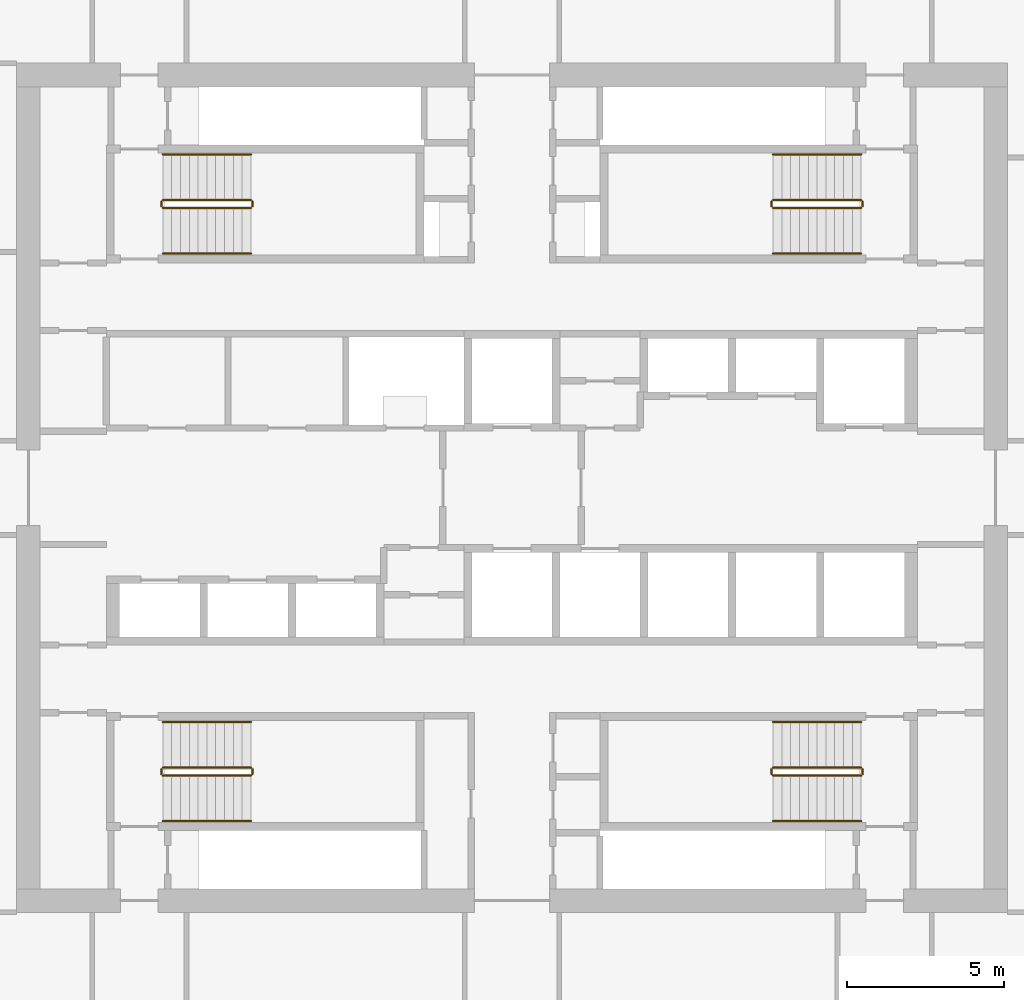
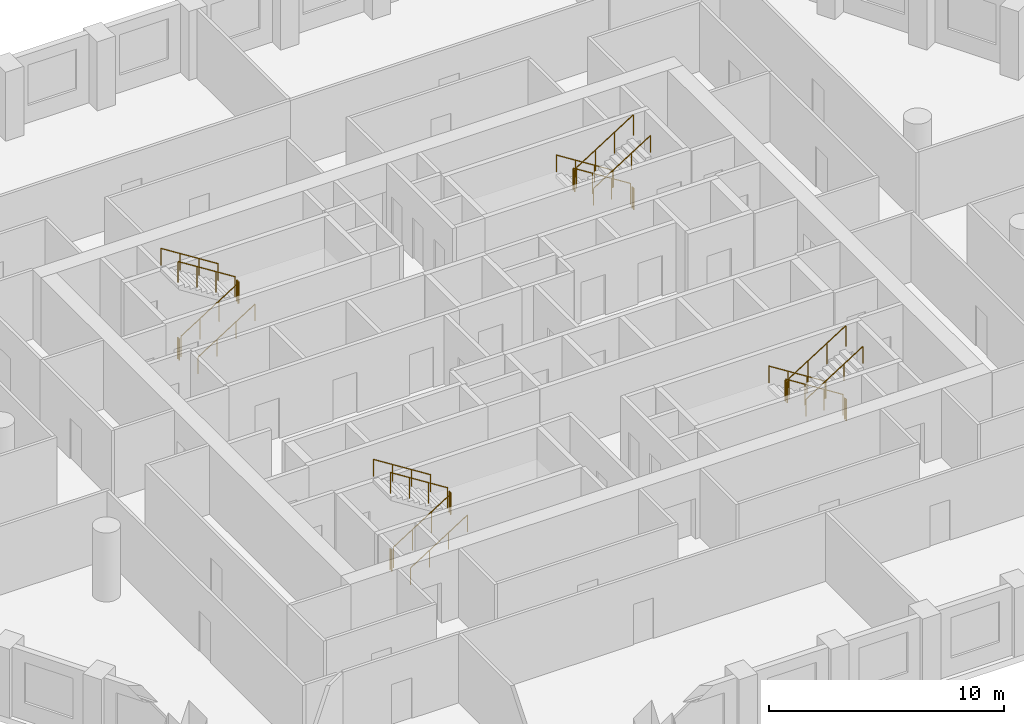
# One storey, part 10 of 10: 24 railings.
"""IFC4 building model written with IfcOpenShell, lengths in metres."""

import ifcopenshell
import ifcopenshell.guid

model = None  # the IFC model being written
_history = None  # IfcOwnerHistory: only IFC2X3 demands one
_inside = {}  # id of a spatial element -> (the spatial element, [elements in it])
_under = {}  # id of a project, library or spatial element -> (it, [spatial elements below it])
_declared = {}  # id of a project -> (the project, [libraries it declares])
_typed = {}  # id of a type object -> (the type object, [elements of that type])
_made_of = {}  # id of a material, layer set ... -> (it, [elements and type objects made of it])


def new_model(schema):
    """Start an empty IFC model of exactly this schema.

    Asked for "IFC4X3", IfcOpenShell would pick the latest addendum, in which some entities
    have other attributes; the version numbers below select the first issue.
    IFC2X3 requires an IfcOwnerHistory on every rooted entity: one is made here for all.
    """
    global model, _history
    if schema == "IFC4X3":
        model = ifcopenshell.file(schema_version=(4, 3, 0, 0))
    else:
        model = ifcopenshell.file(schema=schema)
    _inside.clear()
    _under.clear()
    _declared.clear()
    _typed.clear()
    _made_of.clear()
    _history = None
    if model.schema == "IFC2X3":
        org = make("IfcOrganization", Name="unknown")
        user = make(
            "IfcPersonAndOrganization",
            ThePerson=make("IfcPerson", FamilyName="unknown"),
            TheOrganization=org,
        )
        app = make(
            "IfcApplication",
            ApplicationDeveloper=org,
            Version="unknown",
            ApplicationFullName="unknown",
            ApplicationIdentifier="unknown",
        )
        _history = make(
            "IfcOwnerHistory",
            OwningUser=user,
            OwningApplication=app,
            ChangeAction="ADDED",
            CreationDate=0,
        )
    return model


def make(cls, **values):
    """One entity of the class cls with the attributes given. An attribute that is None is left unset."""
    return model.create_entity(
        cls, **{name: value for name, value in values.items() if value is not None}
    )


def rooted(cls, **values):
    """An entity with a GlobalId (a new one), such as an element, a storey or a relation."""
    return make(cls, GlobalId=ifcopenshell.guid.new(), OwnerHistory=_history, **values)


def si_unit(unit_type, name, prefix=None):
    """IfcSIUnit, for example si_unit("LENGTHUNIT", "METRE", prefix="MILLI")."""
    return make("IfcSIUnit", UnitType=unit_type, Prefix=prefix, Name=name)


def assignment(units):
    """IfcUnitAssignment: the units of a project."""
    return None if units is None else make("IfcUnitAssignment", Units=units)


def point(xyz):
    """IfcCartesianPoint."""
    return None if xyz is None else make("IfcCartesianPoint", Coordinates=xyz)


def direction(xyz):
    """IfcDirection."""
    return None if xyz is None else make("IfcDirection", DirectionRatios=xyz)


def frame(location, z_axis=None, x_axis=None):
    """IfcAxis2Placement3D, a coordinate frame: its origin and axes. An axis left out is left unset."""
    return make(
        "IfcAxis2Placement3D",
        Location=point(location),
        Axis=direction(z_axis),
        RefDirection=direction(x_axis),
    )


def frame_2d(location, x_axis=None):
    """IfcAxis2Placement2D, a coordinate frame in the plane: its origin and x axis."""
    return make(
        "IfcAxis2Placement2D", Location=point(location), RefDirection=direction(x_axis)
    )


def origin():
    """The frame at (0, 0, 0) with its axes left unset."""
    return frame((0.0, 0.0, 0.0))


def origin_2d():
    """The frame at (0, 0) in the plane with its x axis left unset."""
    return frame_2d((0.0, 0.0))


def place(relative_to, where):
    """IfcLocalPlacement: puts the frame where relative to a parent placement (None: the world)."""
    return make(
        "IfcLocalPlacement", PlacementRelTo=relative_to, RelativePlacement=where
    )


def context(
    kind, dimensions, precision=None, world=None, true_north=None, identifier=None
):
    """IfcGeometricRepresentationContext, for example the 3D "Model" context."""
    return make(
        "IfcGeometricRepresentationContext",
        ContextIdentifier=identifier,
        ContextType=kind,
        CoordinateSpaceDimension=dimensions,
        Precision=precision,
        WorldCoordinateSystem=world,
        TrueNorth=true_north,
    )


def subcontext(parent, identifier, kind, view, scale=None):
    """IfcGeometricRepresentationSubContext, for example "Body" below "Model"."""
    return make(
        "IfcGeometricRepresentationSubContext",
        ContextIdentifier=identifier,
        ContextType=kind,
        ParentContext=parent,
        TargetScale=scale,
        TargetView=view,
    )


def project(units=None, contexts=None):
    """IfcProject with its units and contexts."""
    return rooted(
        "IfcProject",
        Name="project",
        RepresentationContexts=contexts,
        UnitsInContext=assignment(units),
    )


def spatial(cls, under=None, at=None, **own):
    """A site, building, storey or space (cls), placed at a placement, below another one or the project."""
    s = rooted(cls, ObjectPlacement=at, **own)
    if under is not None:
        _under.setdefault(under.id(), (under, []))[1].append(s)
    return s


def profile(cls, at=None, kind="AREA", **sizes):
    """A parametric profile (cls). Its sizes go by their IFC names, for example OverallWidth=200.0."""
    return make(cls, ProfileType=kind, Position=at, **sizes)


def circle(**sizes):
    """IfcCircleProfileDef."""
    return profile("IfcCircleProfileDef", **sizes)


def extrude(swept, where, along, depth):
    """IfcExtrudedAreaSolid: the profile swept, set in the frame where, extruded along a direction by depth."""
    return make(
        "IfcExtrudedAreaSolid",
        SweptArea=swept,
        Position=where,
        ExtrudedDirection=direction(along),
        Depth=depth,
    )


def shape(context_of_items, identifier, shape_type, items):
    """IfcShapeRepresentation: the items that make up one representation, for example the "Body"."""
    return make(
        "IfcShapeRepresentation",
        ContextOfItems=context_of_items,
        RepresentationIdentifier=identifier,
        RepresentationType=shape_type,
        Items=items,
    )


def material(Name=None, Category=None):
    """IfcMaterial."""
    return make("IfcMaterial", Name=Name, Category=Category)


def made_of(thing, what):
    """Note that an element or type object is made of a material, layer set ...; save() writes the relation."""
    if what is not None:
        _made_of.setdefault(what.id(), (what, []))[1].append(thing)
    return thing


def type_object(cls, material=None, **own):
    """A type object (cls), such as IfcWallType, which elements share."""
    return made_of(rooted(cls, **own), material)


def element(
    cls,
    number,
    at=None,
    inside=None,
    cuts=None,
    type_object=None,
    material=None,
    context=None,
    identifier="Body",
    shape_type=None,
    held_by="IfcProductDefinitionShape",
    body=None,
    shapes=None,
    **own,
):
    """One element of the class cls, such as IfcWall. Its Tag is "e" and its number.

    at: its placement. inside: the storey or other place that contains it. cuts: it is an
    opening in that element (IfcRelVoidsElement). A single representation is given by context,
    identifier, shape_type and body (its items); several are given by shapes. held_by: the class
    of the entity that holds the representations. save() writes the other relations.
    """
    e = rooted(cls, Tag="e%d" % number, ObjectPlacement=at, **own)
    if body is not None:
        shapes = [shape(context, identifier, shape_type, body)]
    if shapes is not None:
        e.Representation = make(held_by, Representations=shapes)
    if inside is not None:
        _inside.setdefault(inside.id(), (inside, []))[1].append(e)
    if cuts is not None:
        rooted(
            "IfcRelVoidsElement", RelatingBuildingElement=cuts, RelatedOpeningElement=e
        )
    if type_object is not None:
        _typed.setdefault(type_object.id(), (type_object, []))[1].append(e)
    return made_of(e, material)


def aggregate(whole, parts):
    """IfcRelAggregates: a whole, such as a stair, and the parts it consists of."""
    return rooted("IfcRelAggregates", RelatingObject=whole, RelatedObjects=parts)


def save(model, path):
    """Write the relations noted so far, then the file.

    IfcRelAggregates (storeys below a building ...), IfcRelContainedInSpatialStructure (elements
    in a storey), IfcRelDefinesByType, IfcRelAssociatesMaterial and IfcRelDeclares: one each for
    every whole, place, type object, material and project.
    """
    for whole, parts in _under.values():
        aggregate(whole, parts)
    for where, things in _inside.values():
        rooted(
            "IfcRelContainedInSpatialStructure",
            RelatedElements=things,
            RelatingStructure=where,
        )
    for kind, things in _typed.values():
        rooted("IfcRelDefinesByType", RelatedObjects=things, RelatingType=kind)
    for what, things in _made_of.values():
        rooted("IfcRelAssociatesMaterial", RelatedObjects=things, RelatingMaterial=what)
    for by, libraries in _declared.values():
        rooted("IfcRelDeclares", RelatingContext=by, RelatedDefinitions=libraries)
    model.write(path)


model = new_model("IFC4")

# Units and contexts
model_context = context("Model", 3, precision=1e-05, world=origin(), true_north=direction((0.0, 1.0)))
body_context = subcontext(model_context, "Body", "Model", "MODEL_VIEW")
ifc_project = project(units=[si_unit("LENGTHUNIT", "METRE"), si_unit("AREAUNIT", "SQUARE_METRE"), si_unit("VOLUMEUNIT", "CUBIC_METRE"), si_unit("PLANEANGLEUNIT", "RADIAN"), si_unit("MASSUNIT", "GRAM", prefix="KILO")], contexts=[model_context])

# Site, building, storey
site_placement = place(None, origin())
site = spatial("IfcSite", under=ifc_project, at=site_placement, CompositionType="ELEMENT")
building_placement = place(site_placement, origin())
building = spatial("IfcBuilding", under=site, at=building_placement, Name="Dhurran Vertical Campus", CompositionType="ELEMENT")
storey_placement = place(building_placement, frame((0.0, 0.0, 152.10009765625)))
storey = spatial("IfcBuildingStorey", under=building, at=storey_placement, Name="L37", CompositionType="ELEMENT", Elevation=152.10009765625)

# Railings
ifc_material_1 = material(Name="Stainless steel balustrade", Category="steel")
railing_type_1 = type_object("IfcRailingType", Name="co-RL-GUARD-1100", PredefinedType="GUARDRAIL", material=ifc_material_1)
railing_1_placement = place(storey_placement, frame((-11.10009765625, 8.89990234375, 0.17724609375)))
element("IfcRailing", 1, at=railing_1_placement, inside=storey, type_object=railing_type_1, Name="L37 ST1 stair guard 1", PredefinedType="GUARDRAIL", context=body_context, shape_type="SweptSolid", body=[
    extrude(circle(Radius=0.02392578125, at=origin_2d()), frame((0.0, 0.0, 1.076171875), z_axis=(0.844908973607, 0.0, 0.534910110503), x_axis=(0.0, 1.0, 0.0)), (0.0, 0.0, 1.0), 3.31396484375),
    extrude(circle(Radius=0.02099609375, at=origin_2d()), origin(), (0.0, 0.0, 1.0), 1.052001953125),
    extrude(circle(Radius=0.02099609375, at=origin_2d()), frame((0.933349609375, 0.0, 0.5908203125)), (0.0, 0.0, 1.0), 1.052001953125),
    extrude(circle(Radius=0.02099609375, at=origin_2d()), frame((1.86669921875, 0.0, 1.181884765625)), (0.0, 0.0, 1.0), 1.052001953125),
    extrude(circle(Radius=0.02099609375, at=origin_2d()), frame((2.800048828125, 0.0, 1.772705078125)), (0.0, 0.0, 1.0), 1.052001953125),
])
railing_2_placement = place(storey_placement, frame((-8.25, 8.949951171875, 1.949951171875)))
element("IfcRailing", 2, at=railing_2_placement, inside=storey, type_object=railing_type_1, Name="L37 ST1 stair guard 2", PredefinedType="GUARDRAIL", context=body_context, shape_type="SweptSolid", body=[
    extrude(circle(Radius=0.02392578125, at=origin_2d()), frame((0.0, 0.0, 1.076171875), z_axis=(0.0, 1.0, 0.0), x_axis=(-1.0, 0.0, 0.0)), (0.0, 0.0, 1.0), 0.150146484375),
    extrude(circle(Radius=0.02099609375, at=origin_2d()), origin(), (0.0, 0.0, 1.0), 1.052001953125),
    extrude(circle(Radius=0.02099609375, at=origin_2d()), frame((0.0, 0.150146484375, 0.0)), (0.0, 0.0, 1.0), 1.052001953125),
])
railing_3_placement = place(storey_placement, frame((-8.300048828125, 9.14990234375, 2.127197265625)))
element("IfcRailing", 3, at=railing_3_placement, inside=storey, type_object=railing_type_1, Name="L37 ST1 stair guard 3", PredefinedType="GUARDRAIL", context=body_context, shape_type="SweptSolid", body=[
    extrude(circle(Radius=0.02392578125, at=origin_2d()), frame((0.0, 0.0, 1.076171875), z_axis=(-0.844908973607, 0.0, 0.534910110503), x_axis=(0.0, -1.0, 0.0)), (0.0, 0.0, 1.0), 3.31396484375),
    extrude(circle(Radius=0.02099609375, at=origin_2d()), origin(), (0.0, 0.0, 1.0), 1.052001953125),
    extrude(circle(Radius=0.02099609375, at=origin_2d()), frame((-0.933349609375, 0.0, 0.5908203125)), (0.0, 0.0, 1.0), 1.052001953125),
    extrude(circle(Radius=0.02099609375, at=origin_2d()), frame((-1.86669921875, 0.0, 1.181884765625)), (0.0, 0.0, 1.0), 1.052001953125),
    extrude(circle(Radius=0.02099609375, at=origin_2d()), frame((-2.800048828125, 0.0, 1.772705078125)), (0.0, 0.0, 1.0), 1.052001953125),
])
railing_4_placement = place(storey_placement, frame((-11.14990234375, 8.949951171875, 0.0)))
element("IfcRailing", 4, at=railing_4_placement, inside=storey, type_object=railing_type_1, Name="L37 ST1 stair guard 4", PredefinedType="GUARDRAIL", context=body_context, shape_type="SweptSolid", body=[
    extrude(circle(Radius=0.02392578125, at=origin_2d()), frame((0.0, 0.0, 1.076171875), z_axis=(0.0, 1.0, 0.0), x_axis=(-1.0, 0.0, 0.0)), (0.0, 0.0, 1.0), 0.150146484375),
    extrude(circle(Radius=0.02099609375, at=origin_2d()), origin(), (0.0, 0.0, 1.0), 1.052001953125),
    extrude(circle(Radius=0.02099609375, at=origin_2d()), frame((0.0, 0.150146484375, 0.0)), (0.0, 0.0, 1.0), 1.052001953125),
])
railing_5_placement = place(storey_placement, frame((11.10009765625, 9.14990234375, 0.17724609375)))
element("IfcRailing", 5, at=railing_5_placement, inside=storey, type_object=railing_type_1, Name="L37 ST2 stair guard 1", PredefinedType="GUARDRAIL", context=body_context, shape_type="SweptSolid", body=[
    extrude(circle(Radius=0.02392578125, at=origin_2d()), frame((0.0, 0.0, 1.076171875), z_axis=(-0.844908973607, 0.0, 0.534910110503), x_axis=(0.0, -1.0, 0.0)), (0.0, 0.0, 1.0), 3.31396484375),
    extrude(circle(Radius=0.02099609375, at=origin_2d()), origin(), (0.0, 0.0, 1.0), 1.052001953125),
    extrude(circle(Radius=0.02099609375, at=origin_2d()), frame((-0.933349609375, 0.0, 0.5908203125)), (0.0, 0.0, 1.0), 1.052001953125),
    extrude(circle(Radius=0.02099609375, at=origin_2d()), frame((-1.86669921875, 0.0, 1.181884765625)), (0.0, 0.0, 1.0), 1.052001953125),
    extrude(circle(Radius=0.02099609375, at=origin_2d()), frame((-2.800048828125, 0.0, 1.772705078125)), (0.0, 0.0, 1.0), 1.052001953125),
])
railing_6_placement = place(storey_placement, frame((8.25, 9.10009765625, 1.949951171875)))
element("IfcRailing", 6, at=railing_6_placement, inside=storey, type_object=railing_type_1, Name="L37 ST2 stair guard 2", PredefinedType="GUARDRAIL", context=body_context, shape_type="SweptSolid", body=[
    extrude(circle(Radius=0.02392578125, at=origin_2d()), frame((0.0, 0.0, 1.076171875), z_axis=(0.0, -1.0, 0.0), x_axis=(1.0, 0.0, 0.0)), (0.0, 0.0, 1.0), 0.150146484375),
    extrude(circle(Radius=0.02099609375, at=origin_2d()), origin(), (0.0, 0.0, 1.0), 1.052001953125),
    extrude(circle(Radius=0.02099609375, at=origin_2d()), frame((0.0, -0.150146484375, 0.0)), (0.0, 0.0, 1.0), 1.052001953125),
])
railing_7_placement = place(storey_placement, frame((8.300048828125, 8.89990234375, 2.127197265625)))
element("IfcRailing", 7, at=railing_7_placement, inside=storey, type_object=railing_type_1, Name="L37 ST2 stair guard 3", PredefinedType="GUARDRAIL", context=body_context, shape_type="SweptSolid", body=[
    extrude(circle(Radius=0.02392578125, at=origin_2d()), frame((0.0, 0.0, 1.076171875), z_axis=(0.844908973607, 0.0, 0.534910110503), x_axis=(0.0, 1.0, 0.0)), (0.0, 0.0, 1.0), 3.31396484375),
    extrude(circle(Radius=0.02099609375, at=origin_2d()), origin(), (0.0, 0.0, 1.0), 1.052001953125),
    extrude(circle(Radius=0.02099609375, at=origin_2d()), frame((0.933349609375, 0.0, 0.5908203125)), (0.0, 0.0, 1.0), 1.052001953125),
    extrude(circle(Radius=0.02099609375, at=origin_2d()), frame((1.86669921875, 0.0, 1.181884765625)), (0.0, 0.0, 1.0), 1.052001953125),
    extrude(circle(Radius=0.02099609375, at=origin_2d()), frame((2.800048828125, 0.0, 1.772705078125)), (0.0, 0.0, 1.0), 1.052001953125),
])
railing_8_placement = place(storey_placement, frame((11.14990234375, 9.10009765625, 0.0)))
element("IfcRailing", 8, at=railing_8_placement, inside=storey, type_object=railing_type_1, Name="L37 ST2 stair guard 4", PredefinedType="GUARDRAIL", context=body_context, shape_type="SweptSolid", body=[
    extrude(circle(Radius=0.02392578125, at=origin_2d()), frame((0.0, 0.0, 1.076171875), z_axis=(0.0, -1.0, 0.0), x_axis=(1.0, 0.0, 0.0)), (0.0, 0.0, 1.0), 0.150146484375),
    extrude(circle(Radius=0.02099609375, at=origin_2d()), origin(), (0.0, 0.0, 1.0), 1.052001953125),
    extrude(circle(Radius=0.02099609375, at=origin_2d()), frame((0.0, -0.150146484375, 0.0)), (0.0, 0.0, 1.0), 1.052001953125),
])
railing_9_placement = place(storey_placement, frame((-11.10009765625, -9.14990234375, 0.17724609375)))
element("IfcRailing", 9, at=railing_9_placement, inside=storey, type_object=railing_type_1, Name="L37 ST3 stair guard 1", PredefinedType="GUARDRAIL", context=body_context, shape_type="SweptSolid", body=[
    extrude(circle(Radius=0.02392578125, at=origin_2d()), frame((0.0, 0.0, 1.076171875), z_axis=(0.844908973607, 0.0, 0.534910110503), x_axis=(0.0, 1.0, 0.0)), (0.0, 0.0, 1.0), 3.31396484375),
    extrude(circle(Radius=0.02099609375, at=origin_2d()), origin(), (0.0, 0.0, 1.0), 1.052001953125),
    extrude(circle(Radius=0.02099609375, at=origin_2d()), frame((0.933349609375, 0.0, 0.5908203125)), (0.0, 0.0, 1.0), 1.052001953125),
    extrude(circle(Radius=0.02099609375, at=origin_2d()), frame((1.86669921875, 0.0, 1.181884765625)), (0.0, 0.0, 1.0), 1.052001953125),
    extrude(circle(Radius=0.02099609375, at=origin_2d()), frame((2.800048828125, 0.0, 1.772705078125)), (0.0, 0.0, 1.0), 1.052001953125),
])
railing_10_placement = place(storey_placement, frame((-8.25, -9.10009765625, 1.949951171875)))
element("IfcRailing", 10, at=railing_10_placement, inside=storey, type_object=railing_type_1, Name="L37 ST3 stair guard 2", PredefinedType="GUARDRAIL", context=body_context, shape_type="SweptSolid", body=[
    extrude(circle(Radius=0.02392578125, at=origin_2d()), frame((0.0, 0.0, 1.076171875), z_axis=(0.0, 1.0, 0.0), x_axis=(-1.0, 0.0, 0.0)), (0.0, 0.0, 1.0), 0.150146484375),
    extrude(circle(Radius=0.02099609375, at=origin_2d()), origin(), (0.0, 0.0, 1.0), 1.052001953125),
    extrude(circle(Radius=0.02099609375, at=origin_2d()), frame((0.0, 0.150146484375, 0.0)), (0.0, 0.0, 1.0), 1.052001953125),
])
railing_11_placement = place(storey_placement, frame((-8.300048828125, -8.89990234375, 2.127197265625)))
element("IfcRailing", 11, at=railing_11_placement, inside=storey, type_object=railing_type_1, Name="L37 ST3 stair guard 3", PredefinedType="GUARDRAIL", context=body_context, shape_type="SweptSolid", body=[
    extrude(circle(Radius=0.02392578125, at=origin_2d()), frame((0.0, 0.0, 1.076171875), z_axis=(-0.844908973607, 0.0, 0.534910110503), x_axis=(0.0, -1.0, 0.0)), (0.0, 0.0, 1.0), 3.31396484375),
    extrude(circle(Radius=0.02099609375, at=origin_2d()), origin(), (0.0, 0.0, 1.0), 1.052001953125),
    extrude(circle(Radius=0.02099609375, at=origin_2d()), frame((-0.933349609375, 0.0, 0.5908203125)), (0.0, 0.0, 1.0), 1.052001953125),
    extrude(circle(Radius=0.02099609375, at=origin_2d()), frame((-1.86669921875, 0.0, 1.181884765625)), (0.0, 0.0, 1.0), 1.052001953125),
    extrude(circle(Radius=0.02099609375, at=origin_2d()), frame((-2.800048828125, 0.0, 1.772705078125)), (0.0, 0.0, 1.0), 1.052001953125),
])
railing_12_placement = place(storey_placement, frame((-11.14990234375, -9.10009765625, 0.0)))
element("IfcRailing", 12, at=railing_12_placement, inside=storey, type_object=railing_type_1, Name="L37 ST3 stair guard 4", PredefinedType="GUARDRAIL", context=body_context, shape_type="SweptSolid", body=[
    extrude(circle(Radius=0.02392578125, at=origin_2d()), frame((0.0, 0.0, 1.076171875), z_axis=(0.0, 1.0, 0.0), x_axis=(-1.0, 0.0, 0.0)), (0.0, 0.0, 1.0), 0.150146484375),
    extrude(circle(Radius=0.02099609375, at=origin_2d()), origin(), (0.0, 0.0, 1.0), 1.052001953125),
    extrude(circle(Radius=0.02099609375, at=origin_2d()), frame((0.0, 0.150146484375, 0.0)), (0.0, 0.0, 1.0), 1.052001953125),
])
railing_13_placement = place(storey_placement, frame((11.10009765625, -8.89990234375, 0.17724609375)))
element("IfcRailing", 13, at=railing_13_placement, inside=storey, type_object=railing_type_1, Name="L37 ST4 stair guard 1", PredefinedType="GUARDRAIL", context=body_context, shape_type="SweptSolid", body=[
    extrude(circle(Radius=0.02392578125, at=origin_2d()), frame((0.0, 0.0, 1.076171875), z_axis=(-0.844908973607, 0.0, 0.534910110503), x_axis=(0.0, -1.0, 0.0)), (0.0, 0.0, 1.0), 3.31396484375),
    extrude(circle(Radius=0.02099609375, at=origin_2d()), origin(), (0.0, 0.0, 1.0), 1.052001953125),
    extrude(circle(Radius=0.02099609375, at=origin_2d()), frame((-0.933349609375, 0.0, 0.5908203125)), (0.0, 0.0, 1.0), 1.052001953125),
    extrude(circle(Radius=0.02099609375, at=origin_2d()), frame((-1.86669921875, 0.0, 1.181884765625)), (0.0, 0.0, 1.0), 1.052001953125),
    extrude(circle(Radius=0.02099609375, at=origin_2d()), frame((-2.800048828125, 0.0, 1.772705078125)), (0.0, 0.0, 1.0), 1.052001953125),
])
railing_14_placement = place(storey_placement, frame((8.25, -8.949951171875, 1.949951171875)))
element("IfcRailing", 14, at=railing_14_placement, inside=storey, type_object=railing_type_1, Name="L37 ST4 stair guard 2", PredefinedType="GUARDRAIL", context=body_context, shape_type="SweptSolid", body=[
    extrude(circle(Radius=0.02392578125, at=origin_2d()), frame((0.0, 0.0, 1.076171875), z_axis=(0.0, -1.0, 0.0), x_axis=(1.0, 0.0, 0.0)), (0.0, 0.0, 1.0), 0.150146484375),
    extrude(circle(Radius=0.02099609375, at=origin_2d()), origin(), (0.0, 0.0, 1.0), 1.052001953125),
    extrude(circle(Radius=0.02099609375, at=origin_2d()), frame((0.0, -0.150146484375, 0.0)), (0.0, 0.0, 1.0), 1.052001953125),
])
railing_15_placement = place(storey_placement, frame((8.300048828125, -9.14990234375, 2.127197265625)))
element("IfcRailing", 15, at=railing_15_placement, inside=storey, type_object=railing_type_1, Name="L37 ST4 stair guard 3", PredefinedType="GUARDRAIL", context=body_context, shape_type="SweptSolid", body=[
    extrude(circle(Radius=0.02392578125, at=origin_2d()), frame((0.0, 0.0, 1.076171875), z_axis=(0.844908973607, 0.0, 0.534910110503), x_axis=(0.0, 1.0, 0.0)), (0.0, 0.0, 1.0), 3.31396484375),
    extrude(circle(Radius=0.02099609375, at=origin_2d()), origin(), (0.0, 0.0, 1.0), 1.052001953125),
    extrude(circle(Radius=0.02099609375, at=origin_2d()), frame((0.933349609375, 0.0, 0.5908203125)), (0.0, 0.0, 1.0), 1.052001953125),
    extrude(circle(Radius=0.02099609375, at=origin_2d()), frame((1.86669921875, 0.0, 1.181884765625)), (0.0, 0.0, 1.0), 1.052001953125),
    extrude(circle(Radius=0.02099609375, at=origin_2d()), frame((2.800048828125, 0.0, 1.772705078125)), (0.0, 0.0, 1.0), 1.052001953125),
])
railing_16_placement = place(storey_placement, frame((11.14990234375, -8.949951171875, 0.0)))
element("IfcRailing", 16, at=railing_16_placement, inside=storey, type_object=railing_type_1, Name="L37 ST4 stair guard 4", PredefinedType="GUARDRAIL", context=body_context, shape_type="SweptSolid", body=[
    extrude(circle(Radius=0.02392578125, at=origin_2d()), frame((0.0, 0.0, 1.076171875), z_axis=(0.0, -1.0, 0.0), x_axis=(1.0, 0.0, 0.0)), (0.0, 0.0, 1.0), 0.150146484375),
    extrude(circle(Radius=0.02099609375, at=origin_2d()), origin(), (0.0, 0.0, 1.0), 1.052001953125),
    extrude(circle(Radius=0.02099609375, at=origin_2d()), frame((0.0, -0.150146484375, 0.0)), (0.0, 0.0, 1.0), 1.052001953125),
])
ifc_material_2 = material(Name="Stainless steel handrail", Category="steel")
railing_type_2 = type_object("IfcRailingType", Name="co-RL-HANDRAIL-900", PredefinedType="HANDRAIL", material=ifc_material_2)
railing_17_placement = place(storey_placement, frame((-11.10009765625, 7.449951171875, 0.17724609375)))
element("IfcRailing", 17, at=railing_17_placement, inside=storey, type_object=railing_type_2, Name="L37 ST1 stair handrail 1", PredefinedType="HANDRAIL", context=body_context, shape_type="SweptSolid", body=[
    extrude(circle(Radius=0.02392578125, at=origin_2d()), frame((0.0, 0.0, 0.8759765625), z_axis=(0.844908973607, 0.0, 0.534910110503), x_axis=(0.0, 1.0, 0.0)), (0.0, 0.0, 1.0), 3.31396484375),
    extrude(circle(Radius=0.02099609375, at=origin_2d()), origin(), (0.0, 0.0, 1.0), 0.851806640625),
    extrude(circle(Radius=0.02099609375, at=origin_2d()), frame((0.933349609375, 0.0, 0.5908203125)), (0.0, 0.0, 1.0), 0.851806640625),
    extrude(circle(Radius=0.02099609375, at=origin_2d()), frame((1.86669921875, 0.0, 1.181884765625)), (0.0, 0.0, 1.0), 0.851806640625),
    extrude(circle(Radius=0.02099609375, at=origin_2d()), frame((2.800048828125, 0.0, 1.772705078125)), (0.0, 0.0, 1.0), 0.851806640625),
])
for number, where, name in (
    (18, (-8.300048828125, 10.60009765625, 2.127197265625), "L37 ST1 stair handrail 2"),
    (19, (11.10009765625, 10.60009765625, 0.17724609375), "L37 ST2 stair handrail 1"),
):
    element("IfcRailing", number, at=place(storey_placement, frame(where)), inside=storey, type_object=railing_type_2, Name=name, PredefinedType="HANDRAIL", context=body_context, shape_type="SweptSolid", body=[
        extrude(circle(Radius=0.02392578125, at=origin_2d()), frame((0.0, 0.0, 0.8759765625), z_axis=(-0.844908973607, 0.0, 0.534910110503), x_axis=(0.0, -1.0, 0.0)), (0.0, 0.0, 1.0), 3.31396484375),
        extrude(circle(Radius=0.02099609375, at=origin_2d()), origin(), (0.0, 0.0, 1.0), 0.851806640625),
        extrude(circle(Radius=0.02099609375, at=origin_2d()), frame((-0.933349609375, 0.0, 0.5908203125)), (0.0, 0.0, 1.0), 0.851806640625),
        extrude(circle(Radius=0.02099609375, at=origin_2d()), frame((-1.86669921875, 0.0, 1.181884765625)), (0.0, 0.0, 1.0), 0.851806640625),
        extrude(circle(Radius=0.02099609375, at=origin_2d()), frame((-2.800048828125, 0.0, 1.772705078125)), (0.0, 0.0, 1.0), 0.851806640625),
    ])
for number, where, name in (
    (20, (8.300048828125, 7.449951171875, 2.127197265625), "L37 ST2 stair handrail 2"),
    (21, (-11.10009765625, -10.60009765625, 0.17724609375), "L37 ST3 stair handrail 1"),
):
    element("IfcRailing", number, at=place(storey_placement, frame(where)), inside=storey, type_object=railing_type_2, Name=name, PredefinedType="HANDRAIL", context=body_context, shape_type="SweptSolid", body=[
        extrude(circle(Radius=0.02392578125, at=origin_2d()), frame((0.0, 0.0, 0.8759765625), z_axis=(0.844908973607, 0.0, 0.534910110503), x_axis=(0.0, 1.0, 0.0)), (0.0, 0.0, 1.0), 3.31396484375),
        extrude(circle(Radius=0.02099609375, at=origin_2d()), origin(), (0.0, 0.0, 1.0), 0.851806640625),
        extrude(circle(Radius=0.02099609375, at=origin_2d()), frame((0.933349609375, 0.0, 0.5908203125)), (0.0, 0.0, 1.0), 0.851806640625),
        extrude(circle(Radius=0.02099609375, at=origin_2d()), frame((1.86669921875, 0.0, 1.181884765625)), (0.0, 0.0, 1.0), 0.851806640625),
        extrude(circle(Radius=0.02099609375, at=origin_2d()), frame((2.800048828125, 0.0, 1.772705078125)), (0.0, 0.0, 1.0), 0.851806640625),
    ])
for number, where, name in (
    (22, (-8.300048828125, -7.449951171875, 2.127197265625), "L37 ST3 stair handrail 2"),
    (23, (11.10009765625, -7.449951171875, 0.17724609375), "L37 ST4 stair handrail 1"),
):
    element("IfcRailing", number, at=place(storey_placement, frame(where)), inside=storey, type_object=railing_type_2, Name=name, PredefinedType="HANDRAIL", context=body_context, shape_type="SweptSolid", body=[
        extrude(circle(Radius=0.02392578125, at=origin_2d()), frame((0.0, 0.0, 0.8759765625), z_axis=(-0.844908973607, 0.0, 0.534910110503), x_axis=(0.0, -1.0, 0.0)), (0.0, 0.0, 1.0), 3.31396484375),
        extrude(circle(Radius=0.02099609375, at=origin_2d()), origin(), (0.0, 0.0, 1.0), 0.851806640625),
        extrude(circle(Radius=0.02099609375, at=origin_2d()), frame((-0.933349609375, 0.0, 0.5908203125)), (0.0, 0.0, 1.0), 0.851806640625),
        extrude(circle(Radius=0.02099609375, at=origin_2d()), frame((-1.86669921875, 0.0, 1.181884765625)), (0.0, 0.0, 1.0), 0.851806640625),
        extrude(circle(Radius=0.02099609375, at=origin_2d()), frame((-2.800048828125, 0.0, 1.772705078125)), (0.0, 0.0, 1.0), 0.851806640625),
    ])
railing_18_placement = place(storey_placement, frame((8.300048828125, -10.60009765625, 2.127197265625)))
element("IfcRailing", 24, at=railing_18_placement, inside=storey, type_object=railing_type_2, Name="L37 ST4 stair handrail 2", PredefinedType="HANDRAIL", context=body_context, shape_type="SweptSolid", body=[
    extrude(circle(Radius=0.02392578125, at=origin_2d()), frame((0.0, 0.0, 0.8759765625), z_axis=(0.844908973607, 0.0, 0.534910110503), x_axis=(0.0, 1.0, 0.0)), (0.0, 0.0, 1.0), 3.31396484375),
    extrude(circle(Radius=0.02099609375, at=origin_2d()), origin(), (0.0, 0.0, 1.0), 0.851806640625),
    extrude(circle(Radius=0.02099609375, at=origin_2d()), frame((0.933349609375, 0.0, 0.5908203125)), (0.0, 0.0, 1.0), 0.851806640625),
    extrude(circle(Radius=0.02099609375, at=origin_2d()), frame((1.86669921875, 0.0, 1.181884765625)), (0.0, 0.0, 1.0), 0.851806640625),
    extrude(circle(Radius=0.02099609375, at=origin_2d()), frame((2.800048828125, 0.0, 1.772705078125)), (0.0, 0.0, 1.0), 0.851806640625),
])

save(model, "model.ifc")
